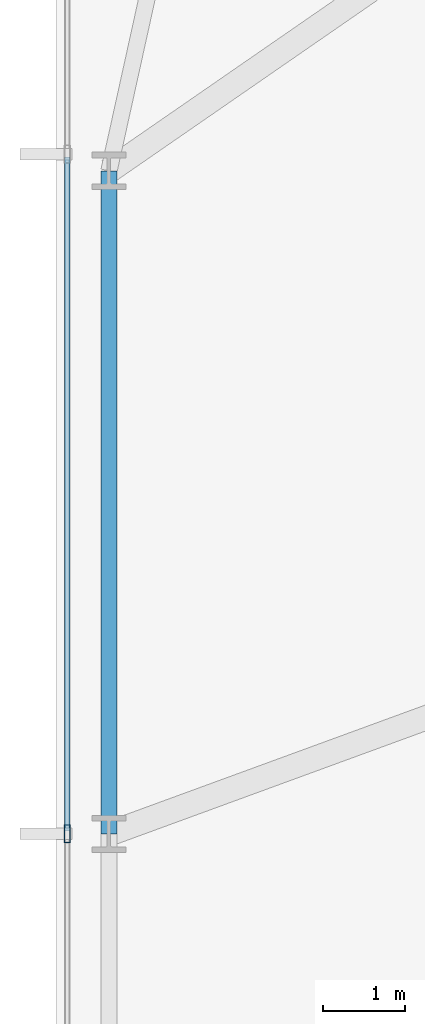
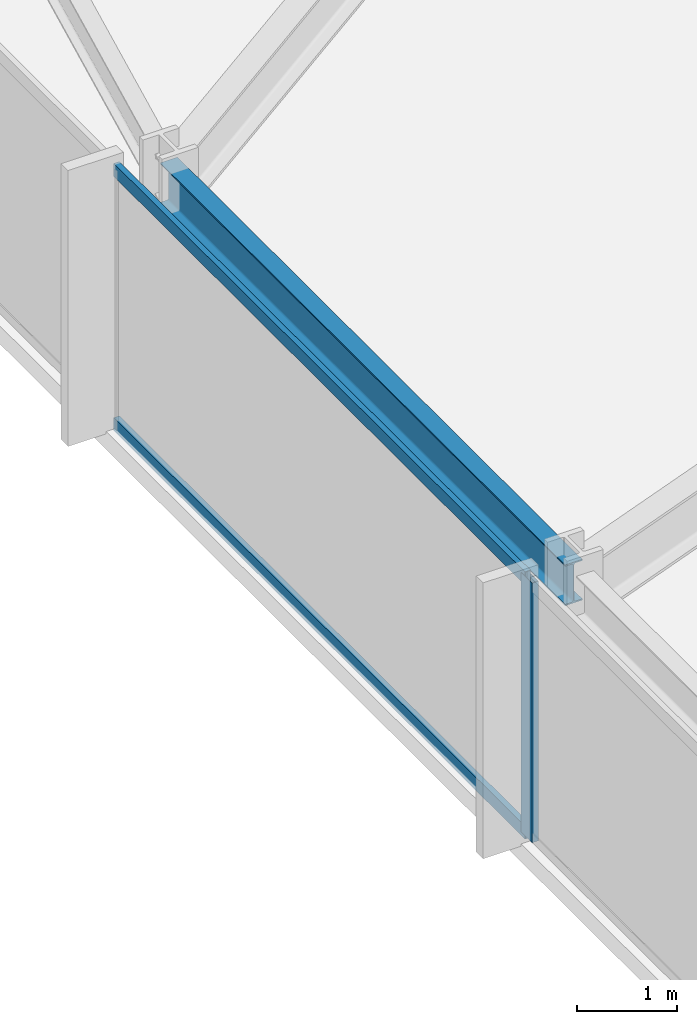
# One storey, part 7 of 32: 3 members, 1 beam, 1 element without a shape of its own.
"""IFC4 building model written with IfcOpenShell, lengths in metres."""

from ifc_helpers import new_model, si_unit, direction, frame, origin, origin_2d, place, context, subcontext, project, spatial, hollow_rectangle, i_section, extrude, material, material_profile, profile_set, type_object, element, aggregate, save


model = new_model("IFC4")

# Units and contexts
model_context = context("Model", 3, precision=1e-05, world=origin(), true_north=direction((0.0, 1.0)))
body_context = subcontext(model_context, "Body", "Model", "MODEL_VIEW")
ifc_project = project(units=[si_unit("LENGTHUNIT", "METRE"), si_unit("AREAUNIT", "SQUARE_METRE"), si_unit("VOLUMEUNIT", "CUBIC_METRE"), si_unit("PLANEANGLEUNIT", "RADIAN"), si_unit("MASSUNIT", "GRAM", prefix="KILO")], contexts=[model_context])

# Site, building, storey
site_placement = place(None, origin())
site = spatial("IfcSite", under=ifc_project, at=site_placement, CompositionType="ELEMENT")
building_placement = place(site_placement, origin())
building = spatial("IfcBuilding", under=site, at=building_placement, Name="Yelkora Congress Tower", CompositionType="ELEMENT")
storey_placement = place(building_placement, frame((0.0, 0.0, 44.0)))
storey = spatial("IfcBuildingStorey", under=building, at=storey_placement, Name="L10", CompositionType="ELEMENT", Elevation=44.0)

# Beam
ifc_material_1 = material(Name="Steel S355J2", Category="steel")
ifc_material_profile_1 = material_profile(ifc_material_1, i_section(OverallWidth=0.199951171875, OverallDepth=0.5, WebThickness=0.01025390625, FlangeThickness=0.01611328125, FilletRadius=0.02099609375, at=origin_2d()), Name="IPE 500")
ifc_profile_set_1 = profile_set([ifc_material_profile_1], Name="Steel S355J2")
beam_type = type_object("IfcBeamType", Name="BM-SPAN-IPE500", PredefinedType="SPANDREL", material=ifc_profile_set_1)
beam_placement = place(storey_placement, frame((6.64990234375, 37.52490234375, 2.929931640625), z_axis=(0.0, -1.0, 0.0), x_axis=(1.0, 0.0, 0.0)))
element("IfcBeam", 1, at=beam_placement, inside=storey, type_object=beam_type, Name="L10 Perimeter Beam 18", PredefinedType="SPANDREL", context=body_context, shape_type="SweptSolid", body=[
    extrude(i_section(OverallWidth=0.199951171875, OverallDepth=0.5, WebThickness=0.01025390625, FlangeThickness=0.01611328125, FilletRadius=0.02099609375, at=origin_2d()), origin(), (0.0, 0.0, 1.0), 8.125),
])

# Curtain wall, members
ifc_material_2 = material(Name="Anodised aluminium and insulated glass", Category="aluminium")
curtain_wall_type = type_object("IfcCurtainWallType", Name="CW-SYS-B1", PredefinedType="NOTDEFINED", material=ifc_material_2)
curtain_wall_placement = place(storey_placement, origin())
curtain_wall = element("IfcCurtainWall", 2, at=curtain_wall_placement, inside=storey, type_object=curtain_wall_type, Name="L10 Unitised Curtain Wall 5", PredefinedType="NOTDEFINED")
ifc_material_3 = material(Name="Anodised aluminium 6063-T6", Category="aluminium")
ifc_material_profile_2 = material_profile(ifc_material_3, hollow_rectangle(XDim=0.074951171875, YDim=0.219970703125, WallThickness=0.0048828125, at=origin_2d()), Name="ALU 75x220x5")
ifc_profile_set_2 = profile_set([ifc_material_profile_2], Name="Anodised aluminium 6063-T6")
member_type_1 = type_object("IfcMemberType", Name="MEM-ML-B1", PredefinedType="MULLION", material=ifc_profile_set_2)
member_1_placement = place(storey_placement, frame((6.139892578125, 29.39990234375, 0.0), z_axis=(0.0, 0.0, 1.0), x_axis=(-1.0, 0.0, 0.0)))
member_1 = element("IfcMember", 3, at=member_1_placement, type_object=member_type_1, Name="CW-B1 mullion 3", PredefinedType="MULLION", context=body_context, shape_type="SweptSolid", body=[
    extrude(hollow_rectangle(XDim=0.074951171875, YDim=0.219970703125, WallThickness=0.0048828125, at=origin_2d()), origin(), (0.0, 0.0, 1.0), 3.179931640625),
])
ifc_material_profile_3 = material_profile(ifc_material_3, hollow_rectangle(XDim=0.06494140625, YDim=0.159912109375, WallThickness=0.00390625, at=origin_2d()), Name="ALU 65x160x4")
ifc_profile_set_3 = profile_set([ifc_material_profile_3], Name="Anodised aluminium 6063-T6")
member_type_2 = type_object("IfcMemberType", Name="MEM-TR-B1", PredefinedType="USERDEFINED", material=ifc_profile_set_3)
member_2_placement = place(storey_placement, frame((6.139892578125, 29.4375, 0.032470703125), z_axis=(0.0, 1.0, 0.0), x_axis=(-1.0, 0.0, 0.0)))
member_2 = element("IfcMember", 4, at=member_2_placement, type_object=member_type_2, Name="CW-B1 transom 3.1", ObjectType="TRANSOM", PredefinedType="USERDEFINED", context=body_context, shape_type="SweptSolid", body=[
    extrude(hollow_rectangle(XDim=0.06494140625, YDim=0.159912109375, WallThickness=0.00390625, at=origin_2d()), origin(), (0.0, 0.0, 1.0), 8.2548828125),
])
member_3_placement = place(storey_placement, frame((6.139892578125, 29.4375, 3.1474609375), z_axis=(0.0, 1.0, 0.0), x_axis=(-1.0, 0.0, 0.0)))
member_3 = element("IfcMember", 5, at=member_3_placement, type_object=member_type_2, Name="CW-B1 transom 3.2", ObjectType="TRANSOM", PredefinedType="USERDEFINED", context=body_context, shape_type="SweptSolid", body=[
    extrude(hollow_rectangle(XDim=0.06494140625, YDim=0.159912109375, WallThickness=0.00390625, at=origin_2d()), origin(), (0.0, 0.0, 1.0), 8.2548828125),
])
aggregate(curtain_wall, [member_1, member_2, member_3])

save(model, "model.ifc")
